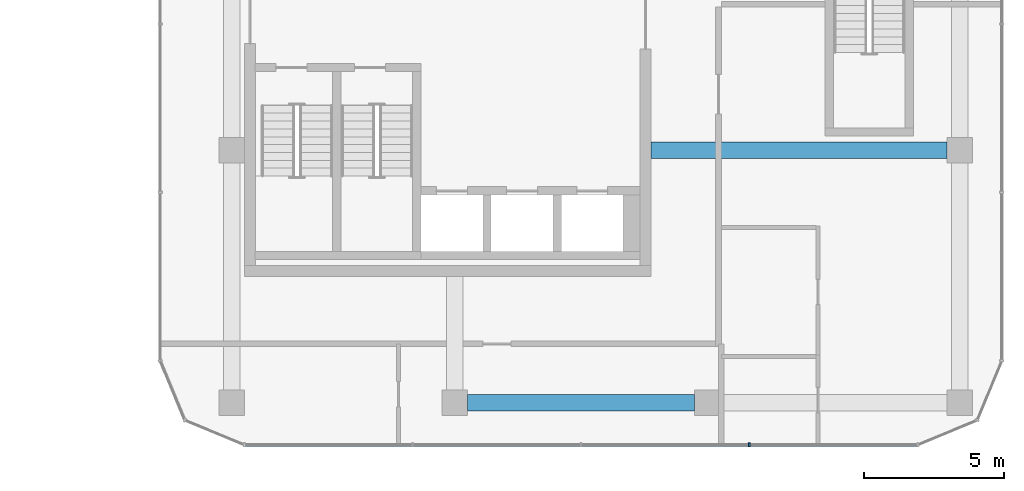
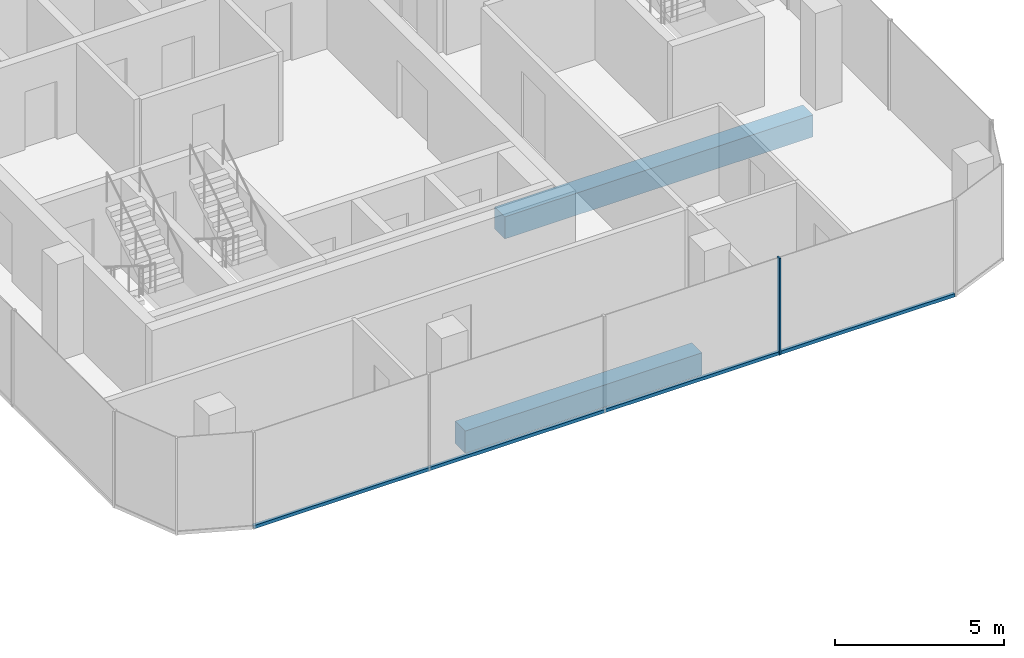
# One storey, part 8 of 22: 2 beams, 2 members, 1 element without a shape of its own.
"""IFC4 building model written with IfcOpenShell, lengths in metres."""

from ifc_helpers import new_model, si_unit, direction, frame, origin, origin_2d, place, context, subcontext, project, spatial, rectangle, extrude, material, layer, layer_set, material_profile, profile_set, type_object, element, aggregate, save


model = new_model("IFC4")

# Units and contexts
model_context = context("Model", 3, precision=1e-05, world=origin(), true_north=direction((0.0, 1.0)))
body_context = subcontext(model_context, "Body", "Model", "MODEL_VIEW")
ifc_project = project(units=[si_unit("LENGTHUNIT", "METRE"), si_unit("AREAUNIT", "SQUARE_METRE"), si_unit("VOLUMEUNIT", "CUBIC_METRE"), si_unit("PLANEANGLEUNIT", "RADIAN"), si_unit("MASSUNIT", "GRAM", prefix="KILO")], contexts=[model_context])

# Site, building, storey
site_placement = place(None, origin())
site = spatial("IfcSite", under=ifc_project, at=site_placement, CompositionType="ELEMENT")
building_placement = place(site_placement, origin())
building = spatial("IfcBuilding", under=site, at=building_placement, Name="Plateau Cross Towers", CompositionType="ELEMENT")
storey_placement = place(building_placement, frame((0.0, 0.0, 109.800048828125)))
storey = spatial("IfcBuildingStorey", under=building, at=storey_placement, Name="L28", CompositionType="ELEMENT", Elevation=109.800048828125)

# Beam
ifc_material_1 = material(Name="Concrete C60/75", Category="concrete")
ifc_material_profile_1 = material_profile(ifc_material_1, rectangle(XDim=0.60009765625, YDim=0.800048828125, at=origin_2d()), Name="RC 600x800")
ifc_profile_set_1 = profile_set([ifc_material_profile_1], Name="Concrete C60/75")
beam_type_1 = type_object("IfcBeamType", Name="Core beam RC 600x800", PredefinedType="BEAM", material=ifc_profile_set_1)
beam_1_placement = place(storey_placement, frame((89.5, 4.5, -0.650146484375), z_axis=(1.0, 0.0, 0.0), x_axis=(0.0, 1.0, 0.0)))
element("IfcBeam", 1, at=beam_1_placement, inside=storey, type_object=beam_type_1, Name="B-CB02@L28", PredefinedType="BEAM", context=body_context, shape_type="SweptSolid", body=[
    extrude(rectangle(XDim=0.60009765625, YDim=0.800048828125, at=origin_2d()), origin(), (0.0, 0.0, 1.0), 10.550048828125),
])

# Curtain wall, member
ifc_material_2 = material(Name="Dark low-iron glass", Category="glass")
ifc_layer = layer(ifc_material_2, 0.239990234375)
ifc_layer_set = layer_set([ifc_layer], Name="Dark low-iron glass")
curtain_wall_type = type_object("IfcCurtainWallType", Name="Curtain wall office unitised CW-F", PredefinedType="NOTDEFINED", material=ifc_layer_set)
curtain_wall_placement = place(storey_placement, origin())
curtain_wall = element("IfcCurtainWall", 2, at=curtain_wall_placement, inside=storey, type_object=curtain_wall_type, Name="ENV/B/L28/B750_-60", PredefinedType="NOTDEFINED")
ifc_material_3 = material(Name="Black anodised aluminium", Category="aluminium")
ifc_material_profile_2 = material_profile(ifc_material_3, rectangle(XDim=0.06005859375, YDim=0.139892578125, at=origin_2d()), Name="MULLION 60x140")
ifc_profile_set_2 = profile_set([ifc_material_profile_2], Name="Black anodised aluminium")
member_type_1 = type_object("IfcMemberType", Name="Mullion 60x140 office unitised", PredefinedType="MULLION", material=ifc_profile_set_2)
member_1_placement = place(storey_placement, frame((93.0, -6.0, -0.25), z_axis=(0.0, 0.0, 1.0), x_axis=(1.0, 0.0, 0.0)))
member_1 = element("IfcMember", 3, at=member_1_placement, type_object=member_type_1, Name="CW-F mullion 4", PredefinedType="MULLION", context=body_context, shape_type="SweptSolid", body=[
    extrude(rectangle(XDim=0.06005859375, YDim=0.139892578125, at=origin_2d()), origin(), (0.0, 0.0, 1.0), 3.5),
])

# Beam
ifc_material_profile_3 = material_profile(ifc_material_1, rectangle(XDim=0.60009765625, YDim=0.800048828125, at=origin_2d()), Name="RC 600x800")
ifc_profile_set_3 = profile_set([ifc_material_profile_3], Name="Concrete C60/75")
beam_type_2 = type_object("IfcBeamType", Name="Ring beam RC 600x800", PredefinedType="BEAM", material=ifc_profile_set_3)
beam_2_placement = place(storey_placement, frame((82.949951171875, -4.5, -0.650146484375), z_axis=(1.0, 0.0, 0.0), x_axis=(0.0, 1.0, 0.0)))
element("IfcBeam", 4, at=beam_2_placement, inside=storey, type_object=beam_type_2, Name="B-RB01@L28", PredefinedType="BEAM", context=body_context, shape_type="SweptSolid", body=[
    extrude(rectangle(XDim=0.60009765625, YDim=0.800048828125, at=origin_2d()), origin(), (0.0, 0.0, 1.0), 8.10009765625),
])

# Member
ifc_material_profile_4 = material_profile(ifc_material_3, rectangle(XDim=0.10009765625, YDim=0.1201171875, at=origin_2d()), Name="TRANSOM 100x120")
ifc_profile_set_4 = profile_set([ifc_material_profile_4], Name="Black anodised aluminium")
member_type_2 = type_object("IfcMemberType", Name="Transom 100x120 office unitised", PredefinedType="USERDEFINED", material=ifc_profile_set_4)
member_2_placement = place(storey_placement, frame((75.0, -6.0, -0.18994140625), z_axis=(1.0, 0.0, 0.0), x_axis=(0.0, 1.0, 0.0)))
member_2 = element("IfcMember", 5, at=member_2_placement, type_object=member_type_2, Name="CW-F transom", ObjectType="TRANSOM", PredefinedType="USERDEFINED", context=body_context, shape_type="SweptSolid", body=[
    extrude(rectangle(XDim=0.10009765625, YDim=0.1201171875, at=origin_2d()), origin(), (0.0, 0.0, 1.0), 24.0),
])

aggregate(curtain_wall, [member_1, member_2])

save(model, "model.ifc")
